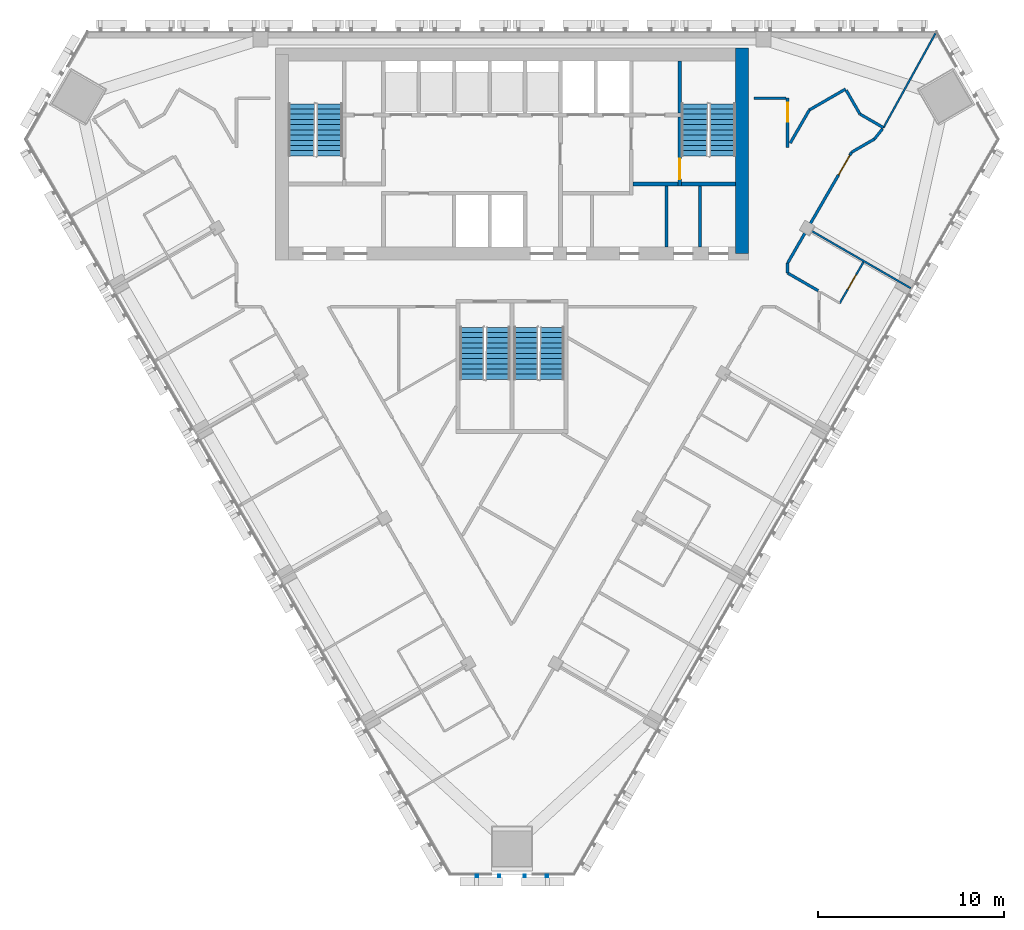
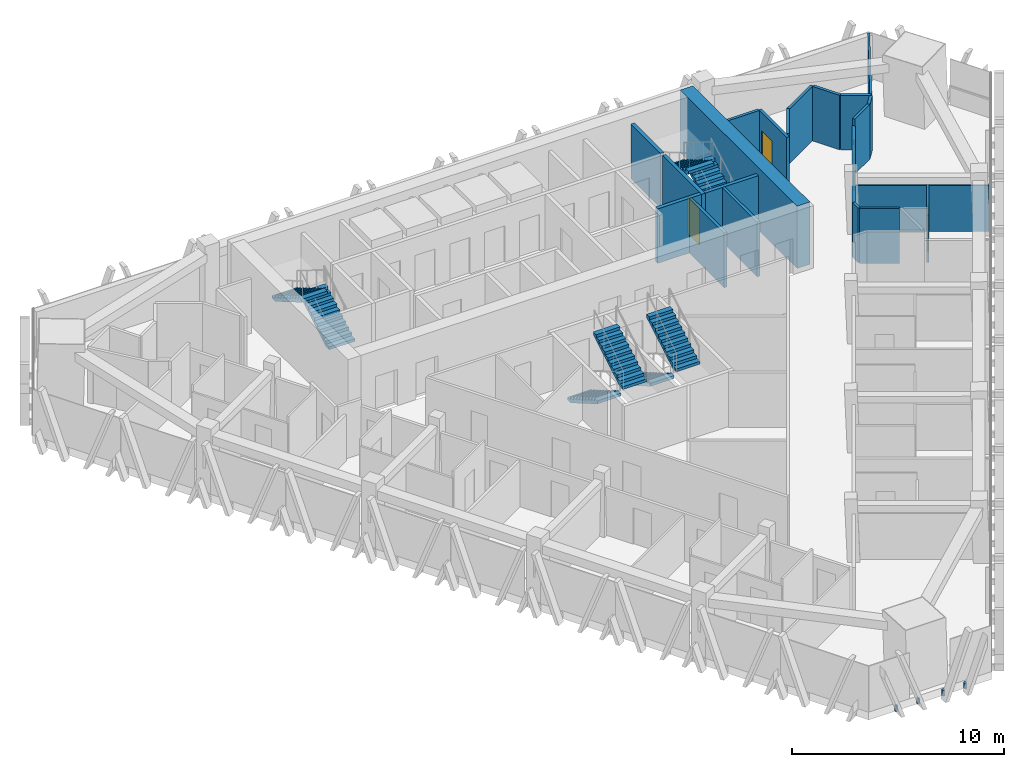
# One storey, part 12 of 16: 21 walls, 8 stair flights, 4 doors, 1 discrete accessory, 4 openings, 4 elements without a shape of their own.
"""IFC4 building model written with IfcOpenShell, lengths in metres."""

from ifc_helpers import new_model, si_unit, direction, frame, frame_2d, origin, place, context, subcontext, project, spatial, polyline, rectangle, outline, extrude, source, transform, mapped, material, layer, layer_set, type_object, element, fill, aggregate, save


model = new_model("IFC4")

# Units and contexts
model_context = context("Model", 3, precision=1e-05, world=origin(), true_north=direction((0.0, 1.0)))
body_context = subcontext(model_context, "Body", "Model", "MODEL_VIEW")
ifc_project = project(units=[si_unit("LENGTHUNIT", "METRE"), si_unit("AREAUNIT", "SQUARE_METRE"), si_unit("VOLUMEUNIT", "CUBIC_METRE"), si_unit("PLANEANGLEUNIT", "RADIAN"), si_unit("MASSUNIT", "GRAM", prefix="KILO")], contexts=[model_context])

# Site, building, storey
site_placement = place(None, origin())
site = spatial("IfcSite", under=ifc_project, at=site_placement, CompositionType="ELEMENT")
building_placement = place(site_placement, origin())
building = spatial("IfcBuilding", under=site, at=building_placement, Name="Altiplano Prism Tower", CompositionType="ELEMENT")
storey_placement = place(building_placement, frame((0.0, 0.0, 181.800048828125)))
storey = spatial("IfcBuildingStorey", under=building, at=storey_placement, Name="L47", CompositionType="ELEMENT", Elevation=181.800048828125)

# Wall
ifc_material_1 = material(Name="Concrete C60/75", Category="concrete")
ifc_layer_1 = layer(ifc_material_1, 0.699951171875)
ifc_layer_set_1 = layer_set([ifc_layer_1], Name="Concrete C60/75")
wall_type_1 = type_object("IfcWallType", Name="Core wall 700", PredefinedType="SHEAR", material=ifc_layer_set_1)
wall_1_placement = place(storey_placement, frame((97.35009765625, 93.050048828125, 0.0), z_axis=(0.0, 0.0, 1.0), x_axis=(0.0, 1.0, 0.0)))
element("IfcWall", 1, at=wall_1_placement, inside=storey, type_object=wall_type_1, Name="Core wall E L47", PredefinedType="SHEAR", context=body_context, shape_type="SweptSolid", body=[
    extrude(rectangle(XDim=11.050048828125, YDim=0.699951171875, at=frame_2d((5.52490234375, 0.0))), origin(), (0.0, 0.0, 1.0), 3.599853515625),
])

# Wall, opening, door
ifc_material_2 = material(Name="Plasterboard on steel stud", Category="steel")
ifc_layer_2 = layer(ifc_material_2, 0.10009765625)
ifc_layer_set_2 = layer_set([ifc_layer_2], Name="Plasterboard on steel stud")
wall_type_2 = type_object("IfcWallType", Name="Partition 100 unit", PredefinedType="PARTITIONING", material=ifc_layer_set_2)
wall_2_placement = place(storey_placement, frame((103.8740234375, 92.60546875, 0.0), z_axis=(0.0, 0.0, 1.0), x_axis=(-0.500062241894, -0.865989465428, 0.0)))
wall_2 = element("IfcWall", 2, at=wall_2_placement, inside=storey, type_object=wall_type_2, Name="Partition P02 L47 080", PredefinedType="PARTITIONING", context=body_context, shape_type="SweptSolid", body=[
    extrude(rectangle(XDim=2.550048828125, YDim=0.10009765625, at=frame_2d((1.27490234375, 0.0))), origin(), (0.0, 0.0, 1.0), 2.75),
])
opening_1_placement = place(wall_2_placement, frame((0.7919921875, 0.0, 0.0)))
opening_1 = element("IfcOpeningElement", 3, at=opening_1_placement, cuts=wall_2, Name="Opening D1681", PredefinedType="OPENING", context=body_context, shape_type="SweptSolid", body=[
    extrude(rectangle(XDim=0.89990234375, YDim=2.10009765625, at=frame_2d((0.449951171875, 1.050048828125))), frame((0.0, 0.060546875, 0.0), z_axis=(0.0, -1.0, 0.0), x_axis=(1.0, 0.0, 0.0)), (0.0, 0.0, 1.0), 0.12109375),
])
ifc_material_3 = material(Name="Timber", Category="wood")
door_type_1 = type_object("IfcDoorType", Name="Accessible ensuite door 900 x 2100", OperationType="NOTDEFINED", PredefinedType="NOTDEFINED", material=ifc_material_3)
door_1_placement = place(opening_1_placement, origin())
door_1 = element("IfcDoor", 4, at=door_1_placement, inside=storey, type_object=door_type_1, Name="Door D1681", OperationType="SINGLE_SWING_LEFT", OverallHeight=2.10009765625, OverallWidth=0.89990234375, PredefinedType="NOTDEFINED", context=body_context, shape_type="SweptSolid", body=[
    extrude(rectangle(XDim=0.89990234375, YDim=2.10009765625, at=frame_2d((0.449951171875, 1.050048828125))), frame((0.0, 0.02490234375, 0.0), z_axis=(0.0, -1.0, 0.0), x_axis=(1.0, 0.0, 0.0)), (0.0, 0.0, 1.0), 0.050048828125),
])
fill(opening_1, door_1)

# Walls
ifc_layer_3 = layer(ifc_material_2, 0.10009765625)
ifc_layer_set_3 = layer_set([ifc_layer_3], Name="Plasterboard on steel stud")
wall_type_3 = type_object("IfcWallType", Name="Partition 100 wet", PredefinedType="PARTITIONING", material=ifc_layer_set_3)
wall_3_placement = place(storey_placement, frame((106.410400390625, 91.19873046875, 0.0), z_axis=(0.0, 0.0, 1.0), x_axis=(-0.866015887322, 0.500016482634, 0.0)))
element("IfcWall", 5, at=wall_3_placement, inside=storey, type_object=wall_type_3, Name="Partition P03 L47 082", PredefinedType="PARTITIONING", context=body_context, shape_type="SweptSolid", body=[
    extrude(rectangle(XDim=6.324951171875, YDim=0.10009765625, at=frame_2d((3.16259765625, 0.0))), origin(), (0.0, 0.0, 1.0), 2.64990234375),
])
wall_4_placement = place(storey_placement, frame((107.747314453125, 104.897705078125, 0.0), z_axis=(0.0, 0.0, 1.0), x_axis=(-0.482834728754, -0.875711496275, 0.0)))
element("IfcWall", 6, at=wall_4_placement, inside=storey, type_object=wall_type_3, Name="Partition P03 L47 083", PredefinedType="PARTITIONING", context=body_context, shape_type="SweptSolid", body=[
    extrude(rectangle(XDim=5.7998046875, YDim=0.10009765625, at=frame_2d((2.89990234375, 0.0))), origin(), (0.0, 0.0, 1.0), 2.64990234375),
])
ifc_layer_4 = layer(ifc_material_2, 0.14990234375)
ifc_layer_set_4 = layer_set([ifc_layer_4], Name="Plasterboard on steel stud")
wall_type_4 = type_object("IfcWallType", Name="Partition 150 corridor", PredefinedType="PARTITIONING", material=ifc_layer_set_4)
wall_5_placement = place(storey_placement, frame((101.44384765625, 91.064208984375, 0.0), z_axis=(0.0, 0.0, 1.0), x_axis=(-0.866042076863, 0.499971120268, 0.0)))
element("IfcWall", 7, at=wall_5_placement, inside=storey, type_object=wall_type_4, Name="Partition P06 L47 012", PredefinedType="PARTITIONING", context=body_context, shape_type="SweptSolid", body=[
    extrude(rectangle(XDim=1.89794921875, YDim=0.14990234375, at=frame_2d((0.948974609375, 0.0))), origin(), (0.0, 0.0, 1.0), 3.14990234375),
])
wall_6_placement = place(storey_placement, frame((99.800048828125, 92.01318359375, 0.0), z_axis=(0.0, 0.0, 1.0), x_axis=(0.0, 1.0, 0.0)))
element("IfcWall", 8, at=wall_6_placement, inside=storey, type_object=wall_type_4, Name="Partition P06 L47 013", PredefinedType="PARTITIONING", context=body_context, shape_type="SweptSolid", body=[
    extrude(rectangle(XDim=0.5361328125, YDim=0.14990234375, at=frame_2d((0.26806640625, 0.0))), origin(), (0.0, 0.0, 1.0), 3.14990234375),
])

# Wall, opening, door
wall_7_placement = place(storey_placement, frame((99.800048828125, 92.54931640625, 0.0), z_axis=(0.0, 0.0, 1.0), x_axis=(0.49999106054, 0.866030564923, 0.0)))
wall_7 = element("IfcWall", 9, at=wall_7_placement, inside=storey, type_object=wall_type_4, Name="Partition P06 L47 014", PredefinedType="PARTITIONING", context=body_context, shape_type="SweptSolid", body=[
    extrude(rectangle(XDim=6.871337890625, YDim=0.14990234375, at=frame_2d((3.435546875, 0.0))), origin(), (0.0, 0.0, 1.0), 2.75),
])
opening_2_placement = place(wall_7_placement, frame((5.470947265625, 0.0, 0.0)))
opening_2 = element("IfcOpeningElement", 10, at=opening_2_placement, cuts=wall_7, Name="Opening D1682", PredefinedType="OPENING", context=body_context, shape_type="SweptSolid", body=[
    extrude(rectangle(XDim=1.199951171875, YDim=2.10009765625, at=frame_2d((0.60009765625, 1.050048828125))), frame((0.0, 0.08544921875, 0.0), z_axis=(0.0, -1.0, 0.0), x_axis=(1.0, 0.0, 0.0)), (0.0, 0.0, 1.0), 0.1708984375),
])
door_type_2 = type_object("IfcDoorType", Name="Shared room door 1200 x 2100", OperationType="NOTDEFINED", PredefinedType="NOTDEFINED", material=ifc_material_3)
door_2_placement = place(opening_2_placement, origin())
door_2 = element("IfcDoor", 11, at=door_2_placement, inside=storey, type_object=door_type_2, Name="Door D1682", OperationType="SINGLE_SWING_RIGHT", OverallHeight=2.10009765625, OverallWidth=1.199951171875, PredefinedType="NOTDEFINED", context=body_context, shape_type="SweptSolid", body=[
    extrude(rectangle(XDim=1.199951171875, YDim=2.10009765625, at=frame_2d((0.60009765625, 1.050048828125))), frame((0.0, 0.02490234375, 0.0), z_axis=(0.0, -1.0, 0.0), x_axis=(1.0, 0.0, 0.0)), (0.0, 0.0, 1.0), 0.050048828125),
])
fill(opening_2, door_2)

# Walls
wall_8_placement = place(storey_placement, frame((103.235595703125, 98.5, 0.0), z_axis=(0.0, 0.0, 1.0), x_axis=(0.866021473228, 0.500006807861, 0.0)))
element("IfcWall", 12, at=wall_8_placement, inside=storey, type_object=wall_type_4, Name="Partition P06 L47 015", PredefinedType="PARTITIONING", context=body_context, shape_type="SweptSolid", body=[
    extrude(rectangle(XDim=1.412109375, YDim=0.14990234375, at=frame_2d((0.7060546875, 0.0))), origin(), (0.0, 0.0, 1.0), 3.14990234375),
])
wall_9_placement = place(storey_placement, frame((104.45849609375, 99.2060546875, 0.0), z_axis=(0.0, 0.0, 1.0), x_axis=(0.623454855773, 0.781859349764, 0.0)))
element("IfcWall", 13, at=wall_9_placement, inside=storey, type_object=wall_type_4, Name="Partition P06 L47 016", PredefinedType="PARTITIONING", context=body_context, shape_type="SweptSolid", body=[
    extrude(rectangle(XDim=0.696533203125, YDim=0.14990234375, at=frame_2d((0.34814453125, 0.0))), origin(), (0.0, 0.0, 1.0), 3.14990234375),
])
wall_10_placement = place(storey_placement, frame((104.947021484375, 99.81884765625, 0.0), z_axis=(0.0, 0.0, 1.0), x_axis=(-0.866010015463, 0.500026652407, 0.0)))
element("IfcWall", 14, at=wall_10_placement, inside=storey, type_object=wall_type_4, Name="Partition P06 L47 017", PredefinedType="PARTITIONING", context=body_context, shape_type="SweptSolid", body=[
    extrude(rectangle(XDim=1.458984375, YDim=0.14990234375, at=frame_2d((0.7294921875, 0.0))), origin(), (0.0, 0.0, 1.0), 3.14990234375),
])
wall_11_placement = place(storey_placement, frame((103.68359375, 100.54833984375, 0.0), z_axis=(0.0, 0.0, 1.0), x_axis=(-0.500037662692, 0.866003658127, 0.0)))
element("IfcWall", 15, at=wall_11_placement, inside=storey, type_object=wall_type_4, Name="Partition P06 L47 018", PredefinedType="PARTITIONING", context=body_context, shape_type="SweptSolid", body=[
    extrude(rectangle(XDim=1.47509765625, YDim=0.14990234375, at=frame_2d((0.737548828125, 0.0))), origin(), (0.0, 0.0, 1.0), 3.14990234375),
])
wall_12_placement = place(storey_placement, frame((102.908447265625, 101.890625, 0.0), z_axis=(0.0, 0.0, 1.0), x_axis=(-0.866016984105, -0.500014583029, 0.0)))
element("IfcWall", 16, at=wall_12_placement, inside=storey, type_object=wall_type_4, Name="Partition P06 L47 019", PredefinedType="PARTITIONING", context=body_context, shape_type="SweptSolid", body=[
    extrude(rectangle(XDim=2.24267578125, YDim=0.14990234375, at=frame_2d((1.121337890625, 0.0))), origin(), (0.0, 0.0, 1.0), 3.14990234375),
])
wall_13_placement = place(storey_placement, frame((100.96630859375, 100.769287109375, 0.0), z_axis=(0.0, 0.0, 1.0), x_axis=(-0.500027893485, -0.866009298874, 0.0)))
element("IfcWall", 17, at=wall_13_placement, inside=storey, type_object=wall_type_4, Name="Partition P06 L47 020", PredefinedType="PARTITIONING", context=body_context, shape_type="SweptSolid", body=[
    extrude(rectangle(XDim=2.052734375, YDim=0.14990234375, at=frame_2d((1.0263671875, 0.0))), origin(), (0.0, 0.0, 1.0), 3.14990234375),
])

# Wall, opening, door
wall_14_placement = place(storey_placement, frame((99.800048828125, 98.749267578125, 0.0), z_axis=(0.0, 0.0, 1.0), x_axis=(0.0, 1.0, 0.0)))
wall_14 = element("IfcWall", 18, at=wall_14_placement, inside=storey, type_object=wall_type_4, Name="Partition P06 L47 021", PredefinedType="PARTITIONING", context=body_context, shape_type="SweptSolid", body=[
    extrude(rectangle(XDim=2.650634765625, YDim=0.14990234375, at=frame_2d((1.3251953125, 0.0))), origin(), (0.0, 0.0, 1.0), 3.14990234375),
])
opening_3_placement = place(wall_14_placement, frame((1.39990234375, 0.0, 0.0)))
opening_3 = element("IfcOpeningElement", 19, at=opening_3_placement, cuts=wall_14, Name="Opening D1683", PredefinedType="OPENING", context=body_context, shape_type="SweptSolid", body=[
    extrude(rectangle(XDim=1.0, YDim=2.10009765625, at=frame_2d((0.5, 1.050048828125))), frame((0.0, 0.08544921875, 0.0), z_axis=(0.0, -1.0, 0.0), x_axis=(1.0, 0.0, 0.0)), (0.0, 0.0, 1.0), 0.1708984375),
])
door_type_3 = type_object("IfcDoorType", Name="Store door 1000 x 2100", OperationType="NOTDEFINED", PredefinedType="NOTDEFINED", material=ifc_material_3)
door_3_placement = place(opening_3_placement, origin())
door_3 = element("IfcDoor", 20, at=door_3_placement, inside=storey, type_object=door_type_3, Name="Door D1683", OperationType="SINGLE_SWING_RIGHT", OverallHeight=2.10009765625, OverallWidth=1.0, PredefinedType="NOTDEFINED", context=body_context, shape_type="SweptSolid", body=[
    extrude(rectangle(XDim=1.0, YDim=2.10009765625, at=frame_2d((0.5, 1.050048828125))), frame((0.0, 0.02490234375, 0.0), z_axis=(0.0, -1.0, 0.0), x_axis=(1.0, 0.0, 0.0)), (0.0, 0.0, 1.0), 0.050048828125),
])
fill(opening_3, door_3)

# Walls
wall_15_placement = place(storey_placement, frame((99.72509765625, 101.39990234375, 0.0), z_axis=(0.0, 0.0, 1.0), x_axis=(-1.0, 0.0, 0.0)))
element("IfcWall", 21, at=wall_15_placement, inside=storey, type_object=wall_type_4, Name="Partition P06 L47 022", PredefinedType="PARTITIONING", context=body_context, shape_type="SweptSolid", body=[
    extrude(rectangle(XDim=1.72509765625, YDim=0.14990234375, at=frame_2d((0.862548828125, 0.0))), origin(), (0.0, 0.0, 1.0), 3.14990234375),
])
ifc_material_4 = material(Name="Fire-rated gypsum board partition")
ifc_layer_5 = layer(ifc_material_4, 0.14990234375)
ifc_layer_set_5 = layer_set([ifc_layer_5], Name="Fire-rated gypsum board partition")
wall_type_5 = type_object("IfcWallType", Name="Room partition 150", PredefinedType="PARTITIONING", material=ifc_layer_set_5)
for number, where, z_axis, x_axis, name in (
    (22, (93.300048828125, 93.39990234375, 0.0), (0.0, 0.0, 1.0), (0.0, 1.0, 0.0), "Room partition L47"),
    (23, (95.10009765625, 93.39990234375, 0.0), (0.0, 0.0, 1.0), (0.0, 1.0, 0.0), "Room partition L47"),
):
    element("IfcWall", number, at=place(storey_placement, frame(where, z_axis=z_axis, x_axis=x_axis)), inside=storey, type_object=wall_type_5, Name=name, PredefinedType="PARTITIONING", context=body_context, shape_type="SweptSolid", body=[
        extrude(rectangle(XDim=3.300048828125, YDim=0.14990234375, at=frame_2d((1.64990234375, 0.0))), origin(), (0.0, 0.0, 1.0), 3.14990234375),
    ])

# Wall, opening, door
ifc_layer_6 = layer(ifc_material_1, 0.199951171875)
ifc_layer_set_6 = layer_set([ifc_layer_6], Name="Concrete C60/75")
wall_type_6 = type_object("IfcWallType", Name="Stair wall 200", PredefinedType="SOLIDWALL", material=ifc_layer_set_6)
wall_16_placement = place(storey_placement, frame((94.0, 96.699951171875, 0.0), z_axis=(0.0, 0.0, 1.0), x_axis=(0.0, 1.0, 0.0)))
wall_16 = element("IfcWall", 24, at=wall_16_placement, inside=storey, type_object=wall_type_6, Name="Stair wall L47", PredefinedType="SOLIDWALL", context=body_context, shape_type="SweptSolid", body=[
    extrude(rectangle(XDim=3.699951171875, YDim=0.199951171875, at=frame_2d((1.85009765625, 0.0))), origin(), (0.0, 0.0, 1.0), 3.14990234375),
])
opening_4_placement = place(wall_16_placement, frame((0.35009765625, 0.0, 0.0)))
opening_4 = element("IfcOpeningElement", 25, at=opening_4_placement, cuts=wall_16, Name="Opening D3227", PredefinedType="OPENING", context=body_context, shape_type="SweptSolid", body=[
    extrude(rectangle(XDim=1.10009765625, YDim=2.10009765625, at=frame_2d((0.550048828125, 1.050048828125))), frame((0.0, 0.1103515625, 0.0), z_axis=(0.0, -1.0, 0.0), x_axis=(1.0, 0.0, 0.0)), (0.0, 0.0, 1.0), 0.220947265625),
])
ifc_material_5 = material(Name="Fire-rated steel door", Category="steel")
door_type_4 = type_object("IfcDoorType", Name="Stair fire door 1100 x 2100", OperationType="NOTDEFINED", PredefinedType="NOTDEFINED", material=ifc_material_5)
door_4_placement = place(opening_4_placement, origin())
door_4 = element("IfcDoor", 26, at=door_4_placement, inside=storey, type_object=door_type_4, Name="Stair fire door D3227", OperationType="SINGLE_SWING_LEFT", OverallHeight=2.10009765625, OverallWidth=1.10009765625, PredefinedType="NOTDEFINED", context=body_context, shape_type="SweptSolid", body=[
    extrude(rectangle(XDim=1.10009765625, YDim=2.10009765625, at=frame_2d((0.550048828125, 1.050048828125))), frame((0.0, 0.02490234375, 0.0), z_axis=(0.0, -1.0, 0.0), x_axis=(1.0, 0.0, 0.0)), (0.0, 0.0, 1.0), 0.050048828125),
])
fill(opening_4, door_4)

# Walls
wall_17_placement = place(storey_placement, frame((94.10009765625, 96.800048828125, 0.0), z_axis=(0.0, 0.0, 1.0), x_axis=(1.0, 0.0, 0.0)))
element("IfcWall", 27, at=wall_17_placement, inside=storey, type_object=wall_type_6, Name="Stair wall L47", PredefinedType="SOLIDWALL", context=body_context, shape_type="SweptSolid", body=[
    extrude(rectangle(XDim=2.89990234375, YDim=0.199951171875, at=frame_2d((1.449951171875, 0.0))), origin(), (0.0, 0.0, 1.0), 3.14990234375),
])
wall_18_placement = place(storey_placement, frame((94.0, 100.60009765625, 0.0), z_axis=(0.0, 0.0, 1.0), x_axis=(0.0, 1.0, 0.0)))
element("IfcWall", 28, at=wall_18_placement, inside=storey, type_object=wall_type_6, Name="Stair wall L47", PredefinedType="SOLIDWALL", context=body_context, shape_type="SweptSolid", body=[
    extrude(rectangle(XDim=2.7998046875, YDim=0.199951171875, at=frame_2d((1.39990234375, 0.0))), origin(), (0.0, 0.0, 1.0), 3.14990234375),
])
ifc_layer_7 = layer(ifc_material_1, 0.199951171875)
ifc_layer_set_7 = layer_set([ifc_layer_7], Name="Concrete C60/75")
wall_type_7 = type_object("IfcWallType", Name="Vestibule wall 200", PredefinedType="PARTITIONING", material=ifc_layer_set_7)
wall_19_placement = place(storey_placement, frame((91.5, 96.800048828125, 0.0), z_axis=(0.0, 0.0, 1.0), x_axis=(1.0, 0.0, 0.0)))
element("IfcWall", 29, at=wall_19_placement, inside=storey, type_object=wall_type_7, Name="Vestibule wall L47", PredefinedType="PARTITIONING", context=body_context, shape_type="SweptSolid", body=[
    extrude(rectangle(XDim=2.39990234375, YDim=0.199951171875, at=frame_2d((1.199951171875, 0.0))), origin(), (0.0, 0.0, 1.0), 3.14990234375),
])

# Stair, stair flights
ifc_material_6 = material(Name="Concrete C40/50", Category="concrete")
stair_type_1 = type_object("IfcStairType", Name="Exit stair 1400", PredefinedType="HALF_TURN_STAIR", material=ifc_material_6)
stair_1_placement = place(storey_placement, origin())
stair_1 = element("IfcStair", 30, at=stair_1_placement, inside=storey, type_object=stair_type_1, Name="L47 Exit Stair 1", PredefinedType="HALF_TURN_STAIR")
stair_flight_type = type_object("IfcStairFlightType", Name="Stair flight concrete 150", PredefinedType="STRAIGHT", material=ifc_material_6)
stair_flight_1_placement = place(storey_placement, frame((75.199951171875, 98.300048828125, 0.0), z_axis=(0.0, 0.0, 1.0), x_axis=(0.0, 1.0, 0.0)))
stair_flight_1 = element("IfcStairFlight", 31, at=stair_flight_1_placement, type_object=stair_flight_type, Name="ST1 flight 1", NumberOfRisers=11, NumberOfTreads=10, PredefinedType="STRAIGHT", RiserHeight=0.163636364, TreadLength=0.28, context=body_context, shape_type="SweptSolid", body=[
    extrude(outline(polyline([(0.0, 0.0), (0.0, 0.16357421875), (0.280029296875, 0.16357421875), (0.280029296875, 0.327392578125), (0.56005859375, 0.327392578125), (0.56005859375, 0.490966796875), (0.840087890625, 0.490966796875), (0.840087890625, 0.654541015625), (1.1201171875, 0.654541015625), (1.1201171875, 0.818115234375), (1.39990234375, 0.818115234375), (1.39990234375, 0.98193359375), (1.679931640625, 0.98193359375), (1.679931640625, 1.1455078125), (1.9599609375, 1.1455078125), (1.9599609375, 1.30908203125), (2.239990234375, 1.30908203125), (2.239990234375, 1.47265625), (2.52001953125, 1.47265625), (2.52001953125, 1.636474609375), (2.800048828125, 1.636474609375), (2.800048828125, 1.800048828125), (2.800048828125, 1.462646484375), (0.297119140625, 0.0), (0.0, 0.0)])), frame((0.0, 0.699951171875, 0.0), z_axis=(0.0, -1.0, 0.0), x_axis=(1.0, 0.0, 0.0)), (0.0, 0.0, 1.0), 1.39990234375),
])
stair_flight_2_placement = place(storey_placement, frame((73.699951171875, 101.10009765625, 1.800048828125), z_axis=(0.0, 0.0, 1.0), x_axis=(0.0, -1.0, 0.0)))
stair_flight_2 = element("IfcStairFlight", 32, at=stair_flight_2_placement, type_object=stair_flight_type, Name="ST1 flight 2", NumberOfRisers=11, NumberOfTreads=10, PredefinedType="STRAIGHT", RiserHeight=0.163636364, TreadLength=0.28, context=body_context, shape_type="SweptSolid", body=[
    extrude(outline(polyline([(0.0, 0.0), (0.0, 0.16357421875), (0.280029296875, 0.16357421875), (0.280029296875, 0.327392578125), (0.56005859375, 0.327392578125), (0.56005859375, 0.490966796875), (0.840087890625, 0.490966796875), (0.840087890625, 0.654541015625), (1.1201171875, 0.654541015625), (1.1201171875, 0.818115234375), (1.39990234375, 0.818115234375), (1.39990234375, 0.98193359375), (1.679931640625, 0.98193359375), (1.679931640625, 1.1455078125), (1.9599609375, 1.1455078125), (1.9599609375, 1.30908203125), (2.239990234375, 1.30908203125), (2.239990234375, 1.47265625), (2.52001953125, 1.47265625), (2.52001953125, 1.636474609375), (2.800048828125, 1.636474609375), (2.800048828125, 1.800048828125), (2.800048828125, 1.462646484375), (0.297119140625, 0.0), (0.0, 0.0)])), frame((0.0, 0.699951171875, 0.0), z_axis=(0.0, -1.0, 0.0), x_axis=(1.0, 0.0, 0.0)), (0.0, 0.0, 1.0), 1.39990234375),
])
aggregate(stair_1, [stair_flight_1, stair_flight_2])

stair_2_placement = place(storey_placement, origin())
stair_2 = element("IfcStair", 33, at=stair_2_placement, inside=storey, type_object=stair_type_1, Name="L47 Exit Stair 2", PredefinedType="HALF_TURN_STAIR")
stair_flight_3_placement = place(storey_placement, frame((96.300048828125, 98.300048828125, 0.0), z_axis=(0.0, 0.0, 1.0), x_axis=(0.0, 1.0, 0.0)))
stair_flight_3 = element("IfcStairFlight", 34, at=stair_flight_3_placement, type_object=stair_flight_type, Name="ST2 flight 1", NumberOfRisers=11, NumberOfTreads=10, PredefinedType="STRAIGHT", RiserHeight=0.163636364, TreadLength=0.28, context=body_context, shape_type="SweptSolid", body=[
    extrude(outline(polyline([(0.0, 0.0), (0.0, 0.16357421875), (0.280029296875, 0.16357421875), (0.280029296875, 0.327392578125), (0.56005859375, 0.327392578125), (0.56005859375, 0.490966796875), (0.840087890625, 0.490966796875), (0.840087890625, 0.654541015625), (1.1201171875, 0.654541015625), (1.1201171875, 0.818115234375), (1.39990234375, 0.818115234375), (1.39990234375, 0.98193359375), (1.679931640625, 0.98193359375), (1.679931640625, 1.1455078125), (1.9599609375, 1.1455078125), (1.9599609375, 1.30908203125), (2.239990234375, 1.30908203125), (2.239990234375, 1.47265625), (2.52001953125, 1.47265625), (2.52001953125, 1.636474609375), (2.800048828125, 1.636474609375), (2.800048828125, 1.800048828125), (2.800048828125, 1.462646484375), (0.297119140625, 0.0), (0.0, 0.0)])), frame((0.0, 0.699951171875, 0.0), z_axis=(0.0, -1.0, 0.0), x_axis=(1.0, 0.0, 0.0)), (0.0, 0.0, 1.0), 1.39990234375),
])
stair_flight_4_placement = place(storey_placement, frame((94.800048828125, 101.10009765625, 1.800048828125), z_axis=(0.0, 0.0, 1.0), x_axis=(0.0, -1.0, 0.0)))
stair_flight_4 = element("IfcStairFlight", 35, at=stair_flight_4_placement, type_object=stair_flight_type, Name="ST2 flight 2", NumberOfRisers=11, NumberOfTreads=10, PredefinedType="STRAIGHT", RiserHeight=0.163636364, TreadLength=0.28, context=body_context, shape_type="SweptSolid", body=[
    extrude(outline(polyline([(0.0, 0.0), (0.0, 0.16357421875), (0.280029296875, 0.16357421875), (0.280029296875, 0.327392578125), (0.56005859375, 0.327392578125), (0.56005859375, 0.490966796875), (0.840087890625, 0.490966796875), (0.840087890625, 0.654541015625), (1.1201171875, 0.654541015625), (1.1201171875, 0.818115234375), (1.39990234375, 0.818115234375), (1.39990234375, 0.98193359375), (1.679931640625, 0.98193359375), (1.679931640625, 1.1455078125), (1.9599609375, 1.1455078125), (1.9599609375, 1.30908203125), (2.239990234375, 1.30908203125), (2.239990234375, 1.47265625), (2.52001953125, 1.47265625), (2.52001953125, 1.636474609375), (2.800048828125, 1.636474609375), (2.800048828125, 1.800048828125), (2.800048828125, 1.462646484375), (0.297119140625, 0.0), (0.0, 0.0)])), frame((0.0, 0.699951171875, 0.0), z_axis=(0.0, -1.0, 0.0), x_axis=(1.0, 0.0, 0.0)), (0.0, 0.0, 1.0), 1.39990234375),
])
aggregate(stair_2, [stair_flight_3, stair_flight_4])

stair_type_2 = type_object("IfcStairType", Name="Exit stair 1300", PredefinedType="HALF_TURN_STAIR", material=ifc_material_6)
stair_3_placement = place(storey_placement, origin())
stair_3 = element("IfcStair", 36, at=stair_3_placement, inside=storey, type_object=stair_type_2, Name="L47 Exit Stair 3A", PredefinedType="HALF_TURN_STAIR")
stair_flight_5_placement = place(storey_placement, frame((82.85009765625, 89.10009765625, 0.0), z_axis=(0.0, 0.0, 1.0), x_axis=(0.0, -1.0, 0.0)))
stair_flight_5 = element("IfcStairFlight", 37, at=stair_flight_5_placement, type_object=stair_flight_type, Name="ST3A flight 1", NumberOfRisers=11, NumberOfTreads=10, PredefinedType="STRAIGHT", RiserHeight=0.163636364, TreadLength=0.28, context=body_context, shape_type="SweptSolid", body=[
    extrude(outline(polyline([(0.0, 0.0), (0.0, 0.16357421875), (0.280029296875, 0.16357421875), (0.280029296875, 0.327392578125), (0.56005859375, 0.327392578125), (0.56005859375, 0.490966796875), (0.840087890625, 0.490966796875), (0.840087890625, 0.654541015625), (1.1201171875, 0.654541015625), (1.1201171875, 0.818115234375), (1.39990234375, 0.818115234375), (1.39990234375, 0.98193359375), (1.679931640625, 0.98193359375), (1.679931640625, 1.1455078125), (1.9599609375, 1.1455078125), (1.9599609375, 1.30908203125), (2.239990234375, 1.30908203125), (2.239990234375, 1.47265625), (2.52001953125, 1.47265625), (2.52001953125, 1.636474609375), (2.800048828125, 1.636474609375), (2.800048828125, 1.800048828125), (2.800048828125, 1.462646484375), (0.297119140625, 0.0), (0.0, 0.0)])), frame((0.0, 0.64990234375, 0.0), z_axis=(0.0, -1.0, 0.0), x_axis=(1.0, 0.0, 0.0)), (0.0, 0.0, 1.0), 1.300048828125),
])
stair_flight_6_placement = place(storey_placement, frame((84.25, 86.300048828125, 1.800048828125), z_axis=(0.0, 0.0, 1.0), x_axis=(0.0, 1.0, 0.0)))
stair_flight_6 = element("IfcStairFlight", 38, at=stair_flight_6_placement, type_object=stair_flight_type, Name="ST3A flight 2", NumberOfRisers=11, NumberOfTreads=10, PredefinedType="STRAIGHT", RiserHeight=0.163636364, TreadLength=0.28, context=body_context, shape_type="SweptSolid", body=[
    extrude(outline(polyline([(0.0, 0.0), (0.0, 0.16357421875), (0.280029296875, 0.16357421875), (0.280029296875, 0.327392578125), (0.56005859375, 0.327392578125), (0.56005859375, 0.490966796875), (0.840087890625, 0.490966796875), (0.840087890625, 0.654541015625), (1.1201171875, 0.654541015625), (1.1201171875, 0.818115234375), (1.39990234375, 0.818115234375), (1.39990234375, 0.98193359375), (1.679931640625, 0.98193359375), (1.679931640625, 1.1455078125), (1.9599609375, 1.1455078125), (1.9599609375, 1.30908203125), (2.239990234375, 1.30908203125), (2.239990234375, 1.47265625), (2.52001953125, 1.47265625), (2.52001953125, 1.636474609375), (2.800048828125, 1.636474609375), (2.800048828125, 1.800048828125), (2.800048828125, 1.462646484375), (0.297119140625, 0.0), (0.0, 0.0)])), frame((0.0, 0.64990234375, 0.0), z_axis=(0.0, -1.0, 0.0), x_axis=(1.0, 0.0, 0.0)), (0.0, 0.0, 1.0), 1.300048828125),
])
aggregate(stair_3, [stair_flight_5, stair_flight_6])

stair_4_placement = place(storey_placement, origin())
stair_4 = element("IfcStair", 39, at=stair_4_placement, inside=storey, type_object=stair_type_2, Name="L47 Exit Stair 3B", PredefinedType="HALF_TURN_STAIR")
stair_flight_7_placement = place(storey_placement, frame((85.75, 89.10009765625, 0.0), z_axis=(0.0, 0.0, 1.0), x_axis=(0.0, -1.0, 0.0)))
stair_flight_7 = element("IfcStairFlight", 40, at=stair_flight_7_placement, type_object=stair_flight_type, Name="ST3B flight 1", NumberOfRisers=11, NumberOfTreads=10, PredefinedType="STRAIGHT", RiserHeight=0.163636364, TreadLength=0.28, context=body_context, shape_type="SweptSolid", body=[
    extrude(outline(polyline([(0.0, 0.0), (0.0, 0.16357421875), (0.280029296875, 0.16357421875), (0.280029296875, 0.327392578125), (0.56005859375, 0.327392578125), (0.56005859375, 0.490966796875), (0.840087890625, 0.490966796875), (0.840087890625, 0.654541015625), (1.1201171875, 0.654541015625), (1.1201171875, 0.818115234375), (1.39990234375, 0.818115234375), (1.39990234375, 0.98193359375), (1.679931640625, 0.98193359375), (1.679931640625, 1.1455078125), (1.9599609375, 1.1455078125), (1.9599609375, 1.30908203125), (2.239990234375, 1.30908203125), (2.239990234375, 1.47265625), (2.52001953125, 1.47265625), (2.52001953125, 1.636474609375), (2.800048828125, 1.636474609375), (2.800048828125, 1.800048828125), (2.800048828125, 1.462646484375), (0.297119140625, 0.0), (0.0, 0.0)])), frame((0.0, 0.64990234375, 0.0), z_axis=(0.0, -1.0, 0.0), x_axis=(1.0, 0.0, 0.0)), (0.0, 0.0, 1.0), 1.300048828125),
])
stair_flight_8_placement = place(storey_placement, frame((87.14990234375, 86.300048828125, 1.800048828125), z_axis=(0.0, 0.0, 1.0), x_axis=(0.0, 1.0, 0.0)))
stair_flight_8 = element("IfcStairFlight", 41, at=stair_flight_8_placement, type_object=stair_flight_type, Name="ST3B flight 2", NumberOfRisers=11, NumberOfTreads=10, PredefinedType="STRAIGHT", RiserHeight=0.163636364, TreadLength=0.28, context=body_context, shape_type="SweptSolid", body=[
    extrude(outline(polyline([(0.0, 0.0), (0.0, 0.16357421875), (0.280029296875, 0.16357421875), (0.280029296875, 0.327392578125), (0.56005859375, 0.327392578125), (0.56005859375, 0.490966796875), (0.840087890625, 0.490966796875), (0.840087890625, 0.654541015625), (1.1201171875, 0.654541015625), (1.1201171875, 0.818115234375), (1.39990234375, 0.818115234375), (1.39990234375, 0.98193359375), (1.679931640625, 0.98193359375), (1.679931640625, 1.1455078125), (1.9599609375, 1.1455078125), (1.9599609375, 1.30908203125), (2.239990234375, 1.30908203125), (2.239990234375, 1.47265625), (2.52001953125, 1.47265625), (2.52001953125, 1.636474609375), (2.800048828125, 1.636474609375), (2.800048828125, 1.800048828125), (2.800048828125, 1.462646484375), (0.297119140625, 0.0), (0.0, 0.0)])), frame((0.0, 0.64990234375, 0.0), z_axis=(0.0, -1.0, 0.0), x_axis=(1.0, 0.0, 0.0)), (0.0, 0.0, 1.0), 1.300048828125),
])
aggregate(stair_4, [stair_flight_7, stair_flight_8])

# Discrete accessory
ifc_material_7 = material(Name="Stainless steel", Category="steel")
discrete_accessory_type = type_object("IfcDiscreteAccessoryType", Name="Stone fin fixing prongs", PredefinedType="USERDEFINED", material=ifc_material_7)
shared_shape = source(origin(), body_context, "Body", "SweptSolid", [
    extrude(outline(polyline([(-1.94189453125, 0.06005859375), (-1.822021484375, 0.06005859375), (-1.822021484375, 0.389892578125), (-1.94189453125, 0.389892578125), (-1.94189453125, 0.06005859375)])), frame((0.0, 0.0, 0.0), z_axis=(0.0, -1.0, 0.0), x_axis=(1.0, 0.0, 0.0)), (0.0, 0.0, 1.0), 0.14990234375),
    extrude(outline(polyline([(-0.741943359375, 0.06005859375), (-0.621826171875, 0.06005859375), (-0.621826171875, 0.389892578125), (-0.741943359375, 0.389892578125), (-0.741943359375, 0.06005859375)])), frame((0.0, 0.0, 0.0), z_axis=(0.0, -1.0, 0.0), x_axis=(1.0, 0.0, 0.0)), (0.0, 0.0, 1.0), 0.14990234375),
    extrude(outline(polyline([(0.621826171875, 0.06005859375), (0.741943359375, 0.06005859375), (0.741943359375, 0.389892578125), (0.621826171875, 0.389892578125), (0.621826171875, 0.06005859375)])), frame((0.0, 0.0, 0.0), z_axis=(0.0, -1.0, 0.0), x_axis=(1.0, 0.0, 0.0)), (0.0, 0.0, 1.0), 0.14990234375),
    extrude(outline(polyline([(1.822021484375, 0.06005859375), (1.94189453125, 0.06005859375), (1.94189453125, 0.389892578125), (1.822021484375, 0.389892578125), (1.822021484375, 0.06005859375)])), frame((0.0, 0.0, 0.0), z_axis=(0.0, -1.0, 0.0), x_axis=(1.0, 0.0, 0.0)), (0.0, 0.0, 1.0), 0.14990234375),
])
discrete_accessory_placement = place(storey_placement, origin())
element("IfcDiscreteAccessory", 42, at=discrete_accessory_placement, inside=storey, type_object=discrete_accessory_type, Name="Fin fixings L47 south chamfer", ObjectType="BRACKET", PredefinedType="USERDEFINED", context=body_context, shape_type="MappedRepresentation", body=[
    mapped(shared_shape, transform((85.0, 59.708984375, -0.449951171875), x_axis=(1.0, 0.0, 0.0), y_axis=(0.0, 1.0, 0.0), z_axis=(0.0, 0.0, 1.0))),
])

save(model, "model.ifc")
